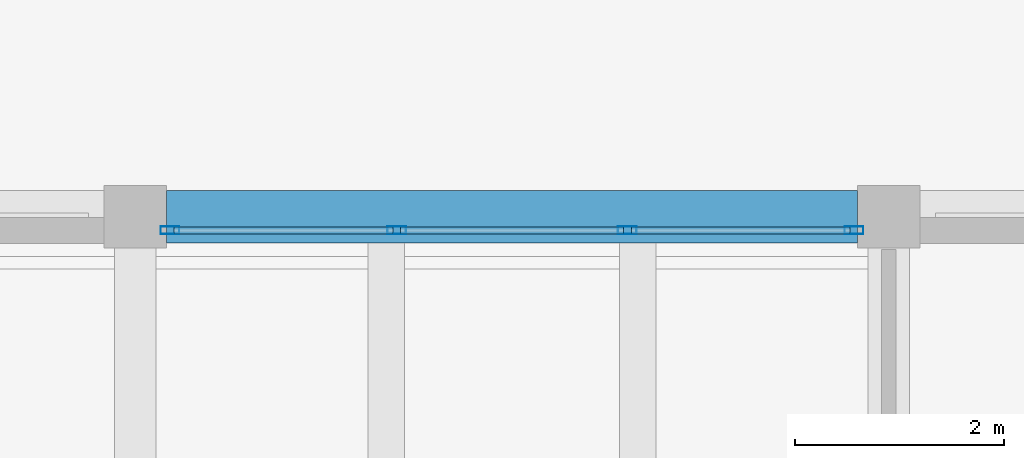
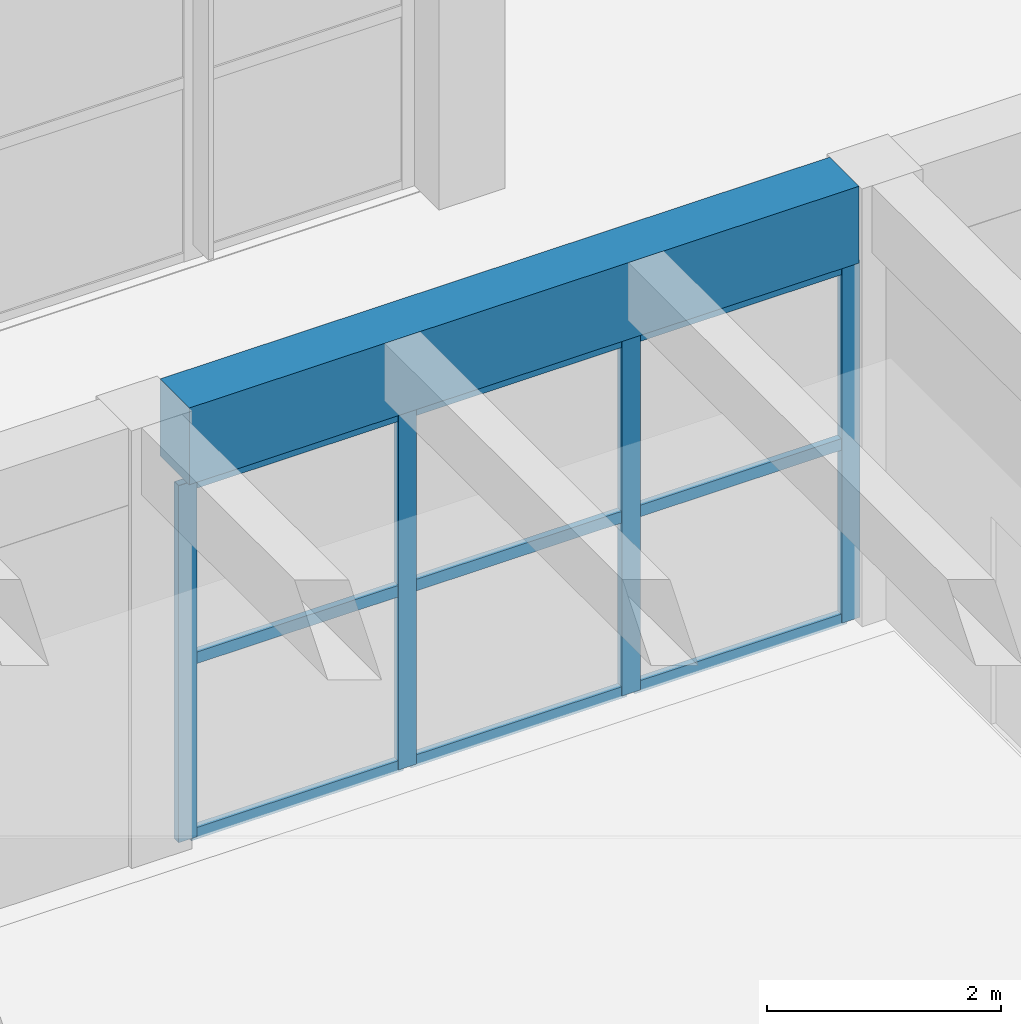
# One storey, part 22 of 155: 13 members, 1 beam, 1 element without a shape of its own.
"""IFC4 building model written with IfcOpenShell, lengths in metres."""

from ifc_helpers import new_model, si_unit, direction, frame, origin, origin_2d, place, context, subcontext, project, spatial, rectangle, hollow_rectangle, extrude, material, material_profile, profile_set, type_object, element, aggregate, save


model = new_model("IFC4")

# Units and contexts
model_context = context("Model", 3, precision=1e-05, world=origin(), true_north=direction((0.0, 1.0)))
body_context = subcontext(model_context, "Body", "Model", "MODEL_VIEW")
ifc_project = project(units=[si_unit("LENGTHUNIT", "METRE"), si_unit("AREAUNIT", "SQUARE_METRE"), si_unit("VOLUMEUNIT", "CUBIC_METRE"), si_unit("PLANEANGLEUNIT", "RADIAN"), si_unit("MASSUNIT", "GRAM", prefix="KILO")], contexts=[model_context])

# Site, building, storey
site_placement = place(None, origin())
site = spatial("IfcSite", under=ifc_project, at=site_placement, CompositionType="ELEMENT")
building_placement = place(site_placement, origin())
building = spatial("IfcBuilding", under=site, at=building_placement, Name="Bramvelor Terrace Health Centre", CompositionType="ELEMENT")
storey_placement = place(building_placement, origin())
storey = spatial("IfcBuildingStorey", under=building, at=storey_placement, Name="L01", CompositionType="ELEMENT", Elevation=0.0)

# Beam
ifc_material_1 = material(Name="Concrete C40/50", Category="concrete")
ifc_material_profile_1 = material_profile(ifc_material_1, rectangle(XDim=0.5, YDim=0.800048828125, at=origin_2d()), Name="RC 500x800")
ifc_profile_set_1 = profile_set([ifc_material_profile_1], Name="Concrete C40/50")
beam_type = type_object("IfcBeamType", Name="BM-RC-G800", PredefinedType="BEAM", material=ifc_profile_set_1)
beam_placement = place(storey_placement, frame((7.5, 64.800048828125, 4.159912109375), z_axis=(1.0, 0.0, 0.0), x_axis=(0.0, 1.0, 0.0)))
element("IfcBeam", 1, at=beam_placement, inside=storey, type_object=beam_type, Name="L01 Floor Girder", PredefinedType="BEAM", context=body_context, shape_type="SweptSolid", body=[
    extrude(rectangle(XDim=0.5, YDim=0.800048828125, at=origin_2d()), origin(), (0.0, 0.0, 1.0), 6.60009765625),
])

# Curtain wall, members
ifc_material_2 = material(Name="Anodized aluminium and double low-E glass", Category="aluminium")
curtain_wall_type = type_object("IfcCurtainWallType", Name="CW-SYS-02", PredefinedType="NOTDEFINED", material=ifc_material_2)
curtain_wall_placement = place(storey_placement, origin())
curtain_wall = element("IfcCurtainWall", 2, at=curtain_wall_placement, inside=storey, type_object=curtain_wall_type, Name="L01 Unitized Curtain Wall 9", PredefinedType="NOTDEFINED")
ifc_material_3 = material(Name="Anodized aluminium 6063-T6", Category="aluminium")
ifc_material_profile_2 = material_profile(ifc_material_3, hollow_rectangle(XDim=0.074951171875, YDim=0.179931640625, WallThickness=0.00341796875, at=origin_2d()), Name="ALU-MUL 75x180x3.5")
ifc_profile_set_2 = profile_set([ifc_material_profile_2], Name="Anodized aluminium 6063-T6")
member_type_1 = type_object("IfcMemberType", Name="CW-MUL-65x180", PredefinedType="MULLION", material=ifc_profile_set_2)
member_1_placement = place(storey_placement, frame((7.532470703125, 64.669921875, 0.0), z_axis=(0.0, 0.0, 1.0), x_axis=(0.0, 1.0, 0.0)))
member_1 = element("IfcMember", 3, at=member_1_placement, type_object=member_type_1, Name="CW-02 mullion 1", PredefinedType="MULLION", context=body_context, shape_type="SweptSolid", body=[
    extrude(hollow_rectangle(XDim=0.074951171875, YDim=0.179931640625, WallThickness=0.00341796875, at=origin_2d()), origin(), (0.0, 0.0, 1.0), 3.719970703125),
])
member_2_placement = place(storey_placement, frame((9.6982421875, 64.669921875, 0.0), z_axis=(0.0, 0.0, 1.0), x_axis=(0.0, 1.0, 0.0)))
member_2 = element("IfcMember", 4, at=member_2_placement, type_object=member_type_1, Name="CW-02 mullion 2", PredefinedType="MULLION", context=body_context, shape_type="SweptSolid", body=[
    extrude(hollow_rectangle(XDim=0.074951171875, YDim=0.179931640625, WallThickness=0.00341796875, at=origin_2d()), origin(), (0.0, 0.0, 1.0), 3.719970703125),
])
member_3_placement = place(storey_placement, frame((11.901611328125, 64.669921875, 0.0), z_axis=(0.0, 0.0, 1.0), x_axis=(0.0, 1.0, 0.0)))
member_3 = element("IfcMember", 5, at=member_3_placement, type_object=member_type_1, Name="CW-02 mullion 3", PredefinedType="MULLION", context=body_context, shape_type="SweptSolid", body=[
    extrude(hollow_rectangle(XDim=0.074951171875, YDim=0.179931640625, WallThickness=0.00341796875, at=origin_2d()), origin(), (0.0, 0.0, 1.0), 3.719970703125),
])
member_4_placement = place(storey_placement, frame((14.0673828125, 64.669921875, 0.0), z_axis=(0.0, 0.0, 1.0), x_axis=(0.0, 1.0, 0.0)))
member_4 = element("IfcMember", 6, at=member_4_placement, type_object=member_type_1, Name="CW-02 mullion 4", PredefinedType="MULLION", context=body_context, shape_type="SweptSolid", body=[
    extrude(hollow_rectangle(XDim=0.074951171875, YDim=0.179931640625, WallThickness=0.00341796875, at=origin_2d()), origin(), (0.0, 0.0, 1.0), 3.719970703125),
])
ifc_material_4 = material(Name="Anodized aluminium 6063-T6", Category="aluminium")
ifc_material_profile_3 = material_profile(ifc_material_4, hollow_rectangle(XDim=0.06494140625, YDim=0.1201171875, WallThickness=0.0029296875, at=origin_2d()), Name="ALU-TRN 65x120x3.0")
ifc_profile_set_3 = profile_set([ifc_material_profile_3], Name="Anodized aluminium 6063-T6")
member_type_2 = type_object("IfcMemberType", Name="CW-TRN-65x150", PredefinedType="USERDEFINED", material=ifc_profile_set_3)
member_5_placement = place(storey_placement, frame((7.570068359375, 64.669921875, 0.032470703125), z_axis=(1.0, 0.0, 0.0), x_axis=(0.0, 1.0, 0.0)))
member_5 = element("IfcMember", 7, at=member_5_placement, type_object=member_type_2, Name="CW-02 transom 1.1", ObjectType="TRANSOM", PredefinedType="USERDEFINED", context=body_context, shape_type="SweptSolid", body=[
    extrude(hollow_rectangle(XDim=0.06494140625, YDim=0.1201171875, WallThickness=0.0029296875, at=origin_2d()), origin(), (0.0, 0.0, 1.0), 2.0908203125),
])
member_6_placement = place(storey_placement, frame((7.570068359375, 64.669921875, 1.860107421875), z_axis=(1.0, 0.0, 0.0), x_axis=(0.0, 1.0, 0.0)))
member_6 = element("IfcMember", 8, at=member_6_placement, type_object=member_type_2, Name="CW-02 transom 1.2", ObjectType="TRANSOM", PredefinedType="USERDEFINED", context=body_context, shape_type="SweptSolid", body=[
    extrude(hollow_rectangle(XDim=0.06494140625, YDim=0.1201171875, WallThickness=0.0029296875, at=origin_2d()), origin(), (0.0, 0.0, 1.0), 2.0908203125),
])
member_7_placement = place(storey_placement, frame((7.570068359375, 64.669921875, 3.6875), z_axis=(1.0, 0.0, 0.0), x_axis=(0.0, 1.0, 0.0)))
member_7 = element("IfcMember", 9, at=member_7_placement, type_object=member_type_2, Name="CW-02 transom 1.3", ObjectType="TRANSOM", PredefinedType="USERDEFINED", context=body_context, shape_type="SweptSolid", body=[
    extrude(hollow_rectangle(XDim=0.06494140625, YDim=0.1201171875, WallThickness=0.0029296875, at=origin_2d()), origin(), (0.0, 0.0, 1.0), 2.0908203125),
])
member_8_placement = place(storey_placement, frame((9.73583984375, 64.669921875, 0.032470703125), z_axis=(1.0, 0.0, 0.0), x_axis=(0.0, 1.0, 0.0)))
member_8 = element("IfcMember", 10, at=member_8_placement, type_object=member_type_2, Name="CW-02 transom 2.1", ObjectType="TRANSOM", PredefinedType="USERDEFINED", context=body_context, shape_type="SweptSolid", body=[
    extrude(hollow_rectangle(XDim=0.06494140625, YDim=0.1201171875, WallThickness=0.0029296875, at=origin_2d()), origin(), (0.0, 0.0, 1.0), 2.12841796875),
])
member_9_placement = place(storey_placement, frame((9.73583984375, 64.669921875, 1.860107421875), z_axis=(1.0, 0.0, 0.0), x_axis=(0.0, 1.0, 0.0)))
member_9 = element("IfcMember", 11, at=member_9_placement, type_object=member_type_2, Name="CW-02 transom 2.2", ObjectType="TRANSOM", PredefinedType="USERDEFINED", context=body_context, shape_type="SweptSolid", body=[
    extrude(hollow_rectangle(XDim=0.06494140625, YDim=0.1201171875, WallThickness=0.0029296875, at=origin_2d()), origin(), (0.0, 0.0, 1.0), 2.12841796875),
])
member_10_placement = place(storey_placement, frame((9.73583984375, 64.669921875, 3.6875), z_axis=(1.0, 0.0, 0.0), x_axis=(0.0, 1.0, 0.0)))
member_10 = element("IfcMember", 12, at=member_10_placement, type_object=member_type_2, Name="CW-02 transom 2.3", ObjectType="TRANSOM", PredefinedType="USERDEFINED", context=body_context, shape_type="SweptSolid", body=[
    extrude(hollow_rectangle(XDim=0.06494140625, YDim=0.1201171875, WallThickness=0.0029296875, at=origin_2d()), origin(), (0.0, 0.0, 1.0), 2.12841796875),
])
member_11_placement = place(storey_placement, frame((11.939208984375, 64.669921875, 0.032470703125), z_axis=(1.0, 0.0, 0.0), x_axis=(0.0, 1.0, 0.0)))
member_11 = element("IfcMember", 13, at=member_11_placement, type_object=member_type_2, Name="CW-02 transom 3.1", ObjectType="TRANSOM", PredefinedType="USERDEFINED", context=body_context, shape_type="SweptSolid", body=[
    extrude(hollow_rectangle(XDim=0.06494140625, YDim=0.1201171875, WallThickness=0.0029296875, at=origin_2d()), origin(), (0.0, 0.0, 1.0), 2.0908203125),
])
member_12_placement = place(storey_placement, frame((11.939208984375, 64.669921875, 1.860107421875), z_axis=(1.0, 0.0, 0.0), x_axis=(0.0, 1.0, 0.0)))
member_12 = element("IfcMember", 14, at=member_12_placement, type_object=member_type_2, Name="CW-02 transom 3.2", ObjectType="TRANSOM", PredefinedType="USERDEFINED", context=body_context, shape_type="SweptSolid", body=[
    extrude(hollow_rectangle(XDim=0.06494140625, YDim=0.1201171875, WallThickness=0.0029296875, at=origin_2d()), origin(), (0.0, 0.0, 1.0), 2.0908203125),
])
member_13_placement = place(storey_placement, frame((11.939208984375, 64.669921875, 3.6875), z_axis=(1.0, 0.0, 0.0), x_axis=(0.0, 1.0, 0.0)))
member_13 = element("IfcMember", 15, at=member_13_placement, type_object=member_type_2, Name="CW-02 transom 3.3", ObjectType="TRANSOM", PredefinedType="USERDEFINED", context=body_context, shape_type="SweptSolid", body=[
    extrude(hollow_rectangle(XDim=0.06494140625, YDim=0.1201171875, WallThickness=0.0029296875, at=origin_2d()), origin(), (0.0, 0.0, 1.0), 2.0908203125),
])
aggregate(curtain_wall, [member_1, member_2, member_3, member_4, member_5, member_6, member_7, member_8, member_9, member_10, member_11, member_12, member_13])

save(model, "model.ifc")
